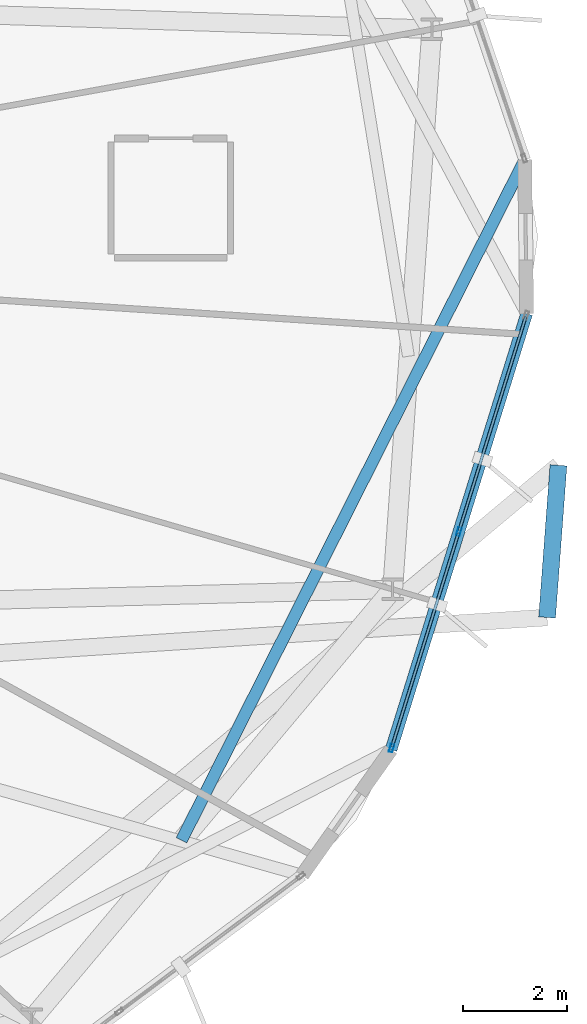
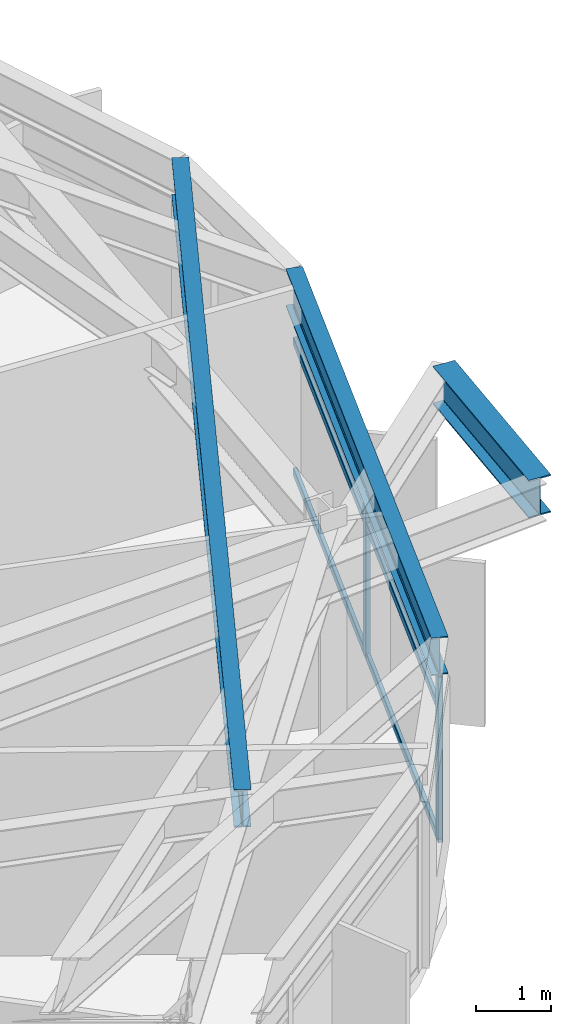
# One storey, part 11 of 27: 8 members, 3 beams, 1 element without a shape of its own.
"""IFC4 building model written with IfcOpenShell, lengths in metres."""

from ifc_helpers import new_model, si_unit, direction, frame, origin, origin_2d, place, context, subcontext, project, spatial, hollow_rectangle, i_section, extrude, material, layer, layer_set, material_profile, profile_set, type_object, element, aggregate, save


model = new_model("IFC4")

# Units and contexts
model_context = context("Model", 3, precision=1e-05, world=origin(), true_north=direction((0.0, 1.0)))
body_context = subcontext(model_context, "Body", "Model", "MODEL_VIEW")
ifc_project = project(units=[si_unit("LENGTHUNIT", "METRE"), si_unit("AREAUNIT", "SQUARE_METRE"), si_unit("VOLUMEUNIT", "CUBIC_METRE"), si_unit("PLANEANGLEUNIT", "RADIAN"), si_unit("MASSUNIT", "GRAM", prefix="KILO")], contexts=[model_context])

# Site, building, storey
site_placement = place(None, origin())
site = spatial("IfcSite", under=ifc_project, at=site_placement, CompositionType="ELEMENT")
building_placement = place(site_placement, origin())
building = spatial("IfcBuilding", under=site, at=building_placement, Name="Soratama Intermodal Tower", CompositionType="ELEMENT")
storey_placement = place(building_placement, frame((0.0, 0.0, 167.800048828125)))
storey = spatial("IfcBuildingStorey", under=building, at=storey_placement, Name="L41", CompositionType="ELEMENT", Elevation=167.800048828125)

# Beams
ifc_material_1 = material(Name="Structural steel ASTM A992 Grade 50", Category="steel")
ifc_material_profile_1 = material_profile(ifc_material_1, i_section(OverallWidth=0.324951171875, OverallDepth=0.615966796875, WebThickness=0.013916015625, FlangeThickness=0.021484375, FilletRadius=0.013916015625, at=origin_2d()), Name="W24X117")
ifc_profile_set_1 = profile_set([ifc_material_profile_1], Name="Structural steel ASTM A992 Grade 50")
beam_type_1 = type_object("IfcBeamType", Name="BM-CANT-W24X117", PredefinedType="BEAM", material=ifc_profile_set_1)
beam_1_placement = place(storey_placement, frame((64.200927734375, 17.902099609375, 2.991943359375), z_axis=(0.074486481393, 0.997222023468, 0.0), x_axis=(-0.997222023468, 0.074486481393, 0.0)))
element("IfcBeam", 1, at=beam_1_placement, inside=storey, type_object=beam_type_1, Name="BM-L41-CBHDR-1", PredefinedType="BEAM", context=body_context, shape_type="SweptSolid", body=[
    extrude(i_section(OverallWidth=0.324951171875, OverallDepth=0.615966796875, WebThickness=0.013916015625, FlangeThickness=0.021484375, FilletRadius=0.013916015625, at=origin_2d()), origin(), (0.0, 0.0, 1.0), 2.93994140625),
])
ifc_material_2 = material(Name="Structural steel ASTM A992 Grade 50", Category="steel")
ifc_material_profile_2 = material_profile(ifc_material_2, i_section(OverallWidth=0.22900390625, OverallDepth=0.612060546875, WebThickness=0.011962890625, FlangeThickness=0.01953125, FilletRadius=0.012939453125, at=origin_2d()), Name="W24X84")
ifc_profile_set_2 = profile_set([ifc_material_profile_2], Name="Structural steel ASTM A992 Grade 50")
beam_type_2 = type_object("IfcBeamType", Name="BM-SPN-W24X84", PredefinedType="SPANDREL", material=ifc_profile_set_2)
beam_2_placement = place(storey_placement, frame((61.196044921875, 15.35791015625, 2.993896484375), z_axis=(0.296968650863, 0.954887229156, 0.0), x_axis=(-0.954887229156, 0.296968650863, 0.0)))
element("IfcBeam", 2, at=beam_2_placement, inside=storey, type_object=beam_type_2, Name="BS-L41-F09", PredefinedType="SPANDREL", context=body_context, shape_type="SweptSolid", body=[
    extrude(i_section(OverallWidth=0.22900390625, OverallDepth=0.612060546875, WebThickness=0.011962890625, FlangeThickness=0.01953125, FilletRadius=0.012939453125, at=origin_2d()), origin(), (0.0, 0.0, 1.0), 8.791748046875),
])
ifc_material_3 = material(Name="Structural steel ASTM A992 Grade 50", Category="steel")
ifc_material_profile_3 = material_profile(ifc_material_3, i_section(OverallWidth=0.22900390625, OverallDepth=0.612060546875, WebThickness=0.011962890625, FlangeThickness=0.01953125, FilletRadius=0.012939453125, at=origin_2d()), Name="W24X84")
ifc_profile_set_3 = profile_set([ifc_material_profile_3], Name="Structural steel ASTM A992 Grade 50")
beam_type_3 = type_object("IfcBeamType", Name="BM-TIE-W24X84", PredefinedType="BEAM", material=ifc_profile_set_3)
beam_3_placement = place(storey_placement, frame((57.158935546875, 13.612060546875, 2.993896484375), z_axis=(0.450350772032, 0.892851713405, 0.0), x_axis=(-0.892851713405, 0.450350772032, 0.0)))
element("IfcBeam", 3, at=beam_3_placement, inside=storey, type_object=beam_type_3, Name="BM-L41-TIE0-10", PredefinedType="BEAM", context=body_context, shape_type="SweptSolid", body=[
    extrude(i_section(OverallWidth=0.22900390625, OverallDepth=0.612060546875, WebThickness=0.011962890625, FlangeThickness=0.01953125, FilletRadius=0.012939453125, at=origin_2d()), origin(), (0.0, 0.0, 1.0), 14.679931640625),
])

# Curtain wall, members
ifc_material_4 = material(Name="Double-glazed aluminium curtain wall", Category="aluminium")
ifc_layer = layer(ifc_material_4, 0.159912109375)
ifc_layer_set = layer_set([ifc_layer], Name="Double-glazed aluminium curtain wall")
curtain_wall_type = type_object("IfcCurtainWallType", Name="CW-SYS-4", PredefinedType="NOTDEFINED", material=ifc_layer_set)
curtain_wall_placement = place(storey_placement, origin())
curtain_wall = element("IfcCurtainWall", 4, at=curtain_wall_placement, inside=storey, type_object=curtain_wall_type, Name="L41 Faceted Curtain Wall F09", PredefinedType="NOTDEFINED")
ifc_material_5 = material(Name="Anodised aluminium AA 6063-T6", Category="aluminium")
ifc_material_profile_4 = material_profile(ifc_material_5, hollow_rectangle(XDim=0.070068359375, YDim=0.159912109375, WallThickness=0.0048828125, InnerFilletRadius=0.0048828125, OuterFilletRadius=0.010009765625, at=origin_2d()), Name="CWM160X70X5")
ifc_profile_set_4 = profile_set([ifc_material_profile_4], Name="Anodised aluminium AA 6063-T6")
member_type_1 = type_object("IfcMemberType", Name="MT-CWM-4", PredefinedType="MULLION", material=ifc_profile_set_4)
member_1_placement = place(storey_placement, frame((61.204833984375, 15.38671875, 0.0), z_axis=(0.0, 0.0, 1.0), x_axis=(-0.954864734442, 0.297040971785, 0.0)))
member_1 = element("IfcMember", 5, at=member_1_placement, type_object=member_type_1, Name="CW-4 mullion 1", PredefinedType="MULLION", context=body_context, shape_type="SweptSolid", body=[
    extrude(hollow_rectangle(XDim=0.070068359375, YDim=0.159912109375, WallThickness=0.0048828125, InnerFilletRadius=0.0048828125, OuterFilletRadius=0.010009765625, at=origin_2d()), origin(), (0.0, 0.0, 1.0), 2.678955078125),
])
member_2_placement = place(storey_placement, frame((62.501708984375, 19.5556640625, 0.0), z_axis=(0.0, 0.0, 1.0), x_axis=(-0.954864734442, 0.297040971785, 0.0)))
member_2 = element("IfcMember", 6, at=member_2_placement, type_object=member_type_1, Name="CW-4 mullion 2", PredefinedType="MULLION", context=body_context, shape_type="SweptSolid", body=[
    extrude(hollow_rectangle(XDim=0.070068359375, YDim=0.159912109375, WallThickness=0.0048828125, InnerFilletRadius=0.0048828125, OuterFilletRadius=0.010009765625, at=origin_2d()), origin(), (0.0, 0.0, 1.0), 2.678955078125),
])
ifc_material_6 = material(Name="Anodised aluminium AA 6063-T6", Category="aluminium")
ifc_material_profile_5 = material_profile(ifc_material_6, hollow_rectangle(XDim=0.06005859375, YDim=0.1298828125, WallThickness=0.0048828125, InnerFilletRadius=0.0048828125, OuterFilletRadius=0.010009765625, at=origin_2d()), Name="CWT130X60X5")
ifc_profile_set_5 = profile_set([ifc_material_profile_5], Name="Anodised aluminium AA 6063-T6")
member_type_2 = type_object("IfcMemberType", Name="TT-CWT-2", PredefinedType="USERDEFINED", material=ifc_profile_set_5)
member_3_placement = place(storey_placement, frame((61.2138671875, 15.415283203125, 0.030029296875), z_axis=(0.297044725712, 0.954863566656, 0.0), x_axis=(-0.954863566656, 0.297044725712, 0.0)))
member_3 = element("IfcMember", 7, at=member_3_placement, type_object=member_type_2, Name="CW-4 transom 1.1", ObjectType="TRANSOM", PredefinedType="USERDEFINED", context=body_context, shape_type="SweptSolid", body=[
    extrude(hollow_rectangle(XDim=0.06005859375, YDim=0.1298828125, WallThickness=0.0048828125, InnerFilletRadius=0.0048828125, OuterFilletRadius=0.010009765625, at=origin_2d()), origin(), (0.0, 0.0, 1.0), 4.305908203125),
])
member_4_placement = place(storey_placement, frame((61.2138671875, 15.415283203125, 2.14990234375), z_axis=(0.297044725712, 0.954863566656, 0.0), x_axis=(-0.954863566656, 0.297044725712, 0.0)))
member_4 = element("IfcMember", 8, at=member_4_placement, type_object=member_type_2, Name="CW-4 transom 1.2", ObjectType="TRANSOM", PredefinedType="USERDEFINED", context=body_context, shape_type="SweptSolid", body=[
    extrude(hollow_rectangle(XDim=0.06005859375, YDim=0.1298828125, WallThickness=0.0048828125, InnerFilletRadius=0.0048828125, OuterFilletRadius=0.010009765625, at=origin_2d()), origin(), (0.0, 0.0, 1.0), 4.305908203125),
])
member_5_placement = place(storey_placement, frame((61.2138671875, 15.415283203125, 2.64892578125), z_axis=(0.297044725712, 0.954863566656, 0.0), x_axis=(-0.954863566656, 0.297044725712, 0.0)))
member_5 = element("IfcMember", 9, at=member_5_placement, type_object=member_type_2, Name="CW-4 transom 1.3", ObjectType="TRANSOM", PredefinedType="USERDEFINED", context=body_context, shape_type="SweptSolid", body=[
    extrude(hollow_rectangle(XDim=0.06005859375, YDim=0.1298828125, WallThickness=0.0048828125, InnerFilletRadius=0.0048828125, OuterFilletRadius=0.010009765625, at=origin_2d()), origin(), (0.0, 0.0, 1.0), 4.305908203125),
])
member_6_placement = place(storey_placement, frame((62.5107421875, 19.584228515625, 0.030029296875), z_axis=(0.297044725712, 0.954863566656, 0.0), x_axis=(-0.954863566656, 0.297044725712, 0.0)))
member_6 = element("IfcMember", 10, at=member_6_placement, type_object=member_type_2, Name="CW-4 transom 2.1", ObjectType="TRANSOM", PredefinedType="USERDEFINED", context=body_context, shape_type="SweptSolid", body=[
    extrude(hollow_rectangle(XDim=0.06005859375, YDim=0.1298828125, WallThickness=0.0048828125, InnerFilletRadius=0.0048828125, OuterFilletRadius=0.010009765625, at=origin_2d()), origin(), (0.0, 0.0, 1.0), 4.305908203125),
])
member_7_placement = place(storey_placement, frame((62.5107421875, 19.584228515625, 2.14990234375), z_axis=(0.297044725712, 0.954863566656, 0.0), x_axis=(-0.954863566656, 0.297044725712, 0.0)))
member_7 = element("IfcMember", 11, at=member_7_placement, type_object=member_type_2, Name="CW-4 transom 2.2", ObjectType="TRANSOM", PredefinedType="USERDEFINED", context=body_context, shape_type="SweptSolid", body=[
    extrude(hollow_rectangle(XDim=0.06005859375, YDim=0.1298828125, WallThickness=0.0048828125, InnerFilletRadius=0.0048828125, OuterFilletRadius=0.010009765625, at=origin_2d()), origin(), (0.0, 0.0, 1.0), 4.305908203125),
])
member_8_placement = place(storey_placement, frame((62.5107421875, 19.584228515625, 2.64892578125), z_axis=(0.297044725712, 0.954863566656, 0.0), x_axis=(-0.954863566656, 0.297044725712, 0.0)))
member_8 = element("IfcMember", 12, at=member_8_placement, type_object=member_type_2, Name="CW-4 transom 2.3", ObjectType="TRANSOM", PredefinedType="USERDEFINED", context=body_context, shape_type="SweptSolid", body=[
    extrude(hollow_rectangle(XDim=0.06005859375, YDim=0.1298828125, WallThickness=0.0048828125, InnerFilletRadius=0.0048828125, OuterFilletRadius=0.010009765625, at=origin_2d()), origin(), (0.0, 0.0, 1.0), 4.305908203125),
])
aggregate(curtain_wall, [member_1, member_2, member_3, member_4, member_5, member_6, member_7, member_8])

save(model, "model.ifc")
